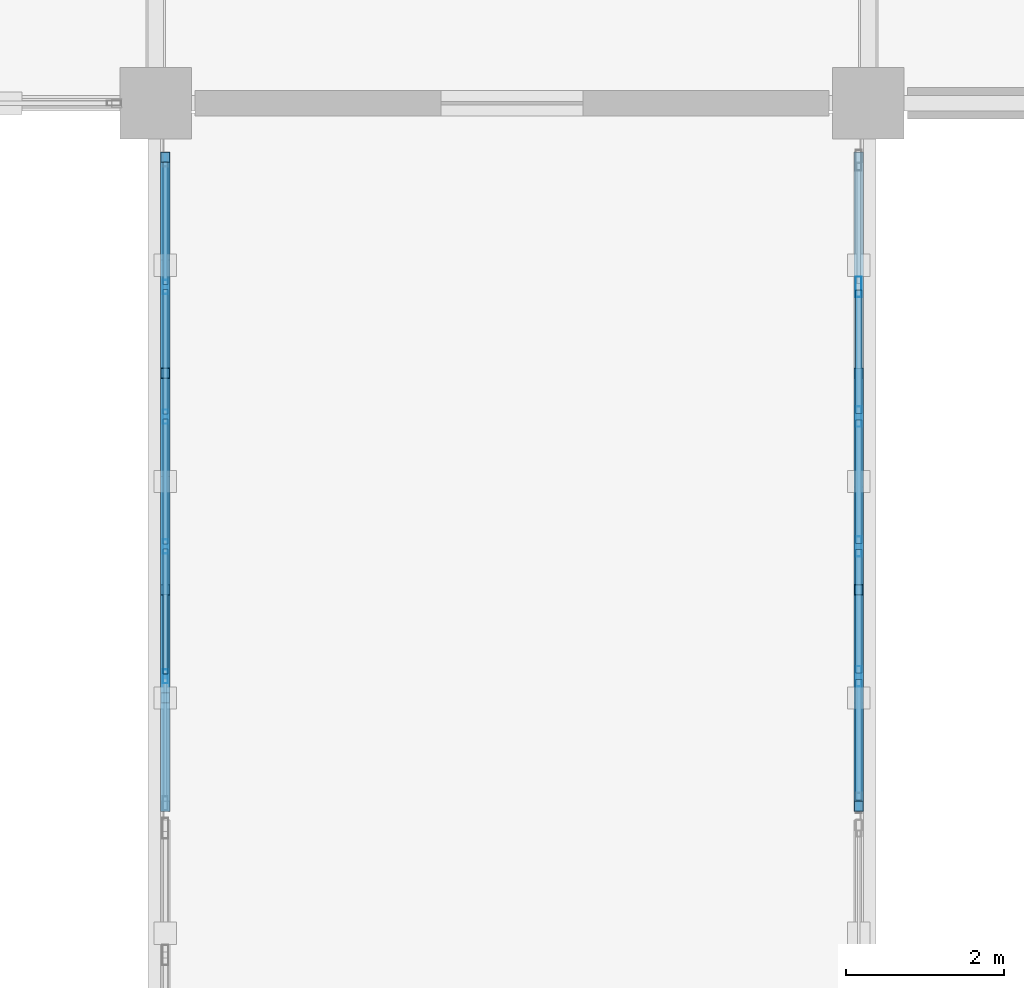
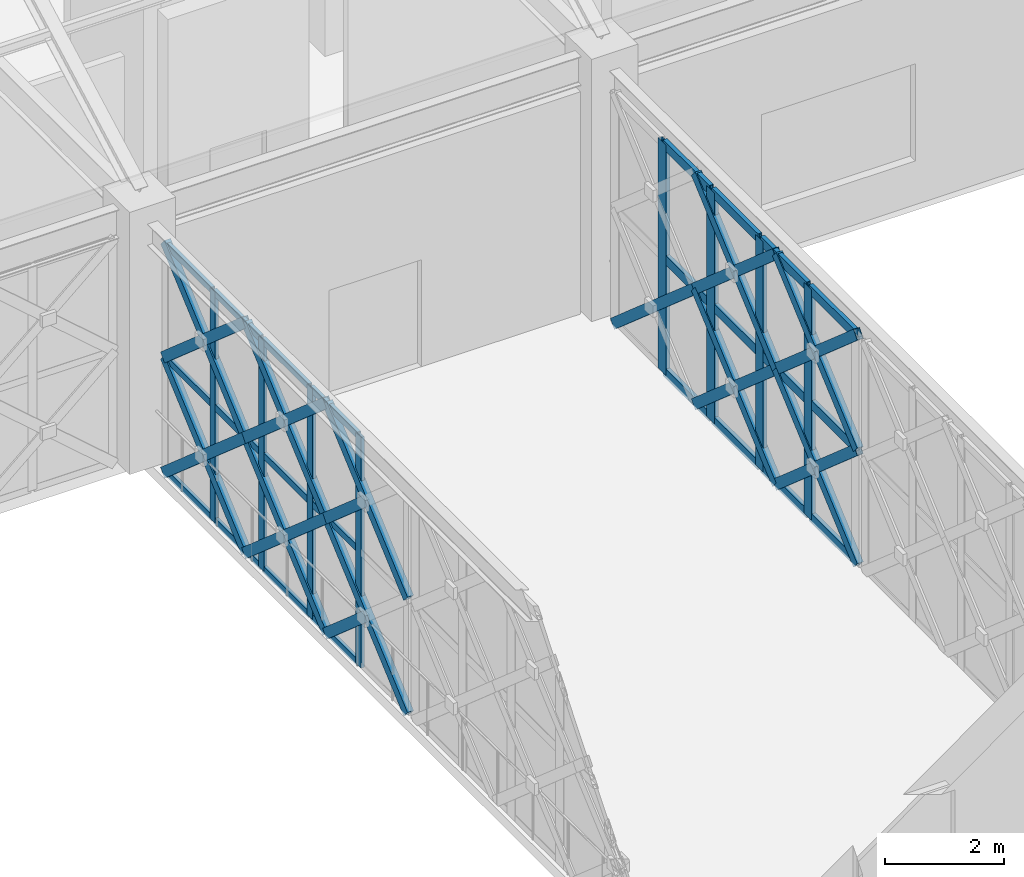
# One storey, part 21 of 166: 61 members, 2 elements without a shape of their own.
"""IFC4 building model written with IfcOpenShell, lengths in metres."""

from ifc_helpers import new_model, si_unit, direction, frame, origin, origin_2d, place, context, subcontext, project, spatial, hollow_rectangle, extrude, material, material_profile, profile_set, type_object, element, aggregate, save


model = new_model("IFC4")

# Units and contexts
model_context = context("Model", 3, precision=1e-05, world=origin(), true_north=direction((0.0, 1.0)))
body_context = subcontext(model_context, "Body", "Model", "MODEL_VIEW")
ifc_project = project(units=[si_unit("LENGTHUNIT", "METRE"), si_unit("AREAUNIT", "SQUARE_METRE"), si_unit("VOLUMEUNIT", "CUBIC_METRE"), si_unit("PLANEANGLEUNIT", "RADIAN"), si_unit("MASSUNIT", "GRAM", prefix="KILO")], contexts=[model_context])

# Site, building, storey
site_placement = place(None, origin())
site = spatial("IfcSite", under=ifc_project, at=site_placement, CompositionType="ELEMENT")
building_placement = place(site_placement, origin())
building = spatial("IfcBuilding", under=site, at=building_placement, Name="Haizhuo Lancet Aquarium", CompositionType="ELEMENT")
storey_placement = place(building_placement, frame((0.0, 0.0, 5.39990234375)))
storey = spatial("IfcBuildingStorey", under=building, at=storey_placement, Name="L01", CompositionType="ELEMENT", Elevation=5.39990234375)

# Curtain wall, members
ifc_material_1 = material(Name="Aluminium 6063-T6", Category="aluminium")
curtain_wall_type = type_object("IfcCurtainWallType", Name="CWO-8200x4750", PredefinedType="NOTDEFINED", material=ifc_material_1)
curtain_wall_1_placement = place(storey_placement, origin())
curtain_wall_1 = element("IfcCurtainWall", 1, at=curtain_wall_1_placement, inside=storey, type_object=curtain_wall_type, Name="L01 curtain wall CW-SB-01-W2", PredefinedType="NOTDEFINED")
ifc_material_profile_1 = material_profile(ifc_material_1, hollow_rectangle(XDim=0.06494140625, YDim=0.179931640625, WallThickness=0.00390625, at=origin_2d()), Name="ALU-M 65x180x4")
ifc_profile_set_1 = profile_set([ifc_material_profile_1], Name="Aluminium 6063-T6")
member_type_1 = type_object("IfcMemberType", Name="CW-MUL-1", PredefinedType="MULLION", material=ifc_profile_set_1)
member_1_placement = place(storey_placement, frame((-62.8798828125, 1.760009765625, 0.0), z_axis=(0.0, 0.0, 1.0), x_axis=(-1.0, 0.0, 0.0)))
member_1 = element("IfcMember", 2, at=member_1_placement, type_object=member_type_1, Name="CWO-82x47 mullion 2", PredefinedType="MULLION", context=body_context, shape_type="SweptSolid", body=[
    extrude(hollow_rectangle(XDim=0.06494140625, YDim=0.179931640625, WallThickness=0.00390625, at=origin_2d()), origin(), (0.0, 0.0, 1.0), 4.75),
])
member_2_placement = place(storey_placement, frame((-62.8798828125, 3.39990234375, 0.0), z_axis=(0.0, 0.0, 1.0), x_axis=(-1.0, 0.0, 0.0)))
member_2 = element("IfcMember", 3, at=member_2_placement, type_object=member_type_1, Name="CWO-82x47 mullion 3", PredefinedType="MULLION", context=body_context, shape_type="SweptSolid", body=[
    extrude(hollow_rectangle(XDim=0.06494140625, YDim=0.179931640625, WallThickness=0.00390625, at=origin_2d()), origin(), (0.0, 0.0, 1.0), 4.75),
])
member_3_placement = place(storey_placement, frame((-62.8798828125, 5.0400390625, 0.0), z_axis=(0.0, 0.0, 1.0), x_axis=(-1.0, 0.0, 0.0)))
member_3 = element("IfcMember", 4, at=member_3_placement, type_object=member_type_1, Name="CWO-82x47 mullion 4", PredefinedType="MULLION", context=body_context, shape_type="SweptSolid", body=[
    extrude(hollow_rectangle(XDim=0.06494140625, YDim=0.179931640625, WallThickness=0.00390625, at=origin_2d()), origin(), (0.0, 0.0, 1.0), 4.75),
])
member_4_placement = place(storey_placement, frame((-62.8798828125, 6.679931640625, 0.0), z_axis=(0.0, 0.0, 1.0), x_axis=(-1.0, 0.0, 0.0)))
member_4 = element("IfcMember", 5, at=member_4_placement, type_object=member_type_1, Name="CWO-82x47 mullion 5", PredefinedType="MULLION", context=body_context, shape_type="SweptSolid", body=[
    extrude(hollow_rectangle(XDim=0.06494140625, YDim=0.179931640625, WallThickness=0.00390625, at=origin_2d()), origin(), (0.0, 0.0, 1.0), 4.75),
])

curtain_wall_2_placement = place(storey_placement, origin())
curtain_wall_2 = element("IfcCurtainWall", 6, at=curtain_wall_2_placement, inside=storey, type_object=curtain_wall_type, Name="L01 curtain wall CW-SB-01-E2", PredefinedType="NOTDEFINED")
ifc_material_profile_2 = material_profile(ifc_material_1, hollow_rectangle(XDim=0.080078125, YDim=0.260009765625, WallThickness=0.0048828125, at=origin_2d()), Name="ALU-M 80x260x5")
ifc_profile_set_2 = profile_set([ifc_material_profile_2], Name="Aluminium 6063-T6")
member_type_2 = type_object("IfcMemberType", Name="CW-MUL-3", PredefinedType="MULLION", material=ifc_profile_set_2)
member_5_placement = place(storey_placement, frame((-54.1201171875, 6.679931640625, 0.0), z_axis=(0.0, 0.0, 1.0), x_axis=(1.0, 0.0, 0.0)))
member_5 = element("IfcMember", 7, at=member_5_placement, type_object=member_type_2, Name="CWO-82x47 mullion 2", PredefinedType="MULLION", context=body_context, shape_type="SweptSolid", body=[
    extrude(hollow_rectangle(XDim=0.080078125, YDim=0.260009765625, WallThickness=0.0048828125, at=origin_2d()), origin(), (0.0, 0.0, 1.0), 4.75),
])
member_6_placement = place(storey_placement, frame((-54.1201171875, 5.0400390625, 0.0), z_axis=(0.0, 0.0, 1.0), x_axis=(1.0, 0.0, 0.0)))
member_6 = element("IfcMember", 8, at=member_6_placement, type_object=member_type_2, Name="CWO-82x47 mullion 3", PredefinedType="MULLION", context=body_context, shape_type="SweptSolid", body=[
    extrude(hollow_rectangle(XDim=0.080078125, YDim=0.260009765625, WallThickness=0.0048828125, at=origin_2d()), origin(), (0.0, 0.0, 1.0), 4.75),
])
member_7_placement = place(storey_placement, frame((-54.1201171875, 3.39990234375, 0.0), z_axis=(0.0, 0.0, 1.0), x_axis=(1.0, 0.0, 0.0)))
member_7 = element("IfcMember", 9, at=member_7_placement, type_object=member_type_2, Name="CWO-82x47 mullion 4", PredefinedType="MULLION", context=body_context, shape_type="SweptSolid", body=[
    extrude(hollow_rectangle(XDim=0.080078125, YDim=0.260009765625, WallThickness=0.0048828125, at=origin_2d()), origin(), (0.0, 0.0, 1.0), 4.75),
])
member_8_placement = place(storey_placement, frame((-54.1201171875, 1.760009765625, 0.0), z_axis=(0.0, 0.0, 1.0), x_axis=(1.0, 0.0, 0.0)))
member_8 = element("IfcMember", 10, at=member_8_placement, type_object=member_type_2, Name="CWO-82x47 mullion 5", PredefinedType="MULLION", context=body_context, shape_type="SweptSolid", body=[
    extrude(hollow_rectangle(XDim=0.080078125, YDim=0.260009765625, WallThickness=0.0048828125, at=origin_2d()), origin(), (0.0, 0.0, 1.0), 4.75),
])

# Member
ifc_material_profile_3 = material_profile(ifc_material_1, hollow_rectangle(XDim=0.06494140625, YDim=0.139892578125, WallThickness=0.00390625, at=origin_2d()), Name="ALU-T 65x140x4")
ifc_profile_set_3 = profile_set([ifc_material_profile_3], Name="Aluminium 6063-T6")
member_type_3 = type_object("IfcMemberType", Name="CW-TRN-1", PredefinedType="NOTDEFINED", material=ifc_profile_set_3)
member_9_placement = place(storey_placement, frame((-62.8798828125, 1.7919921875, 0.033203125), z_axis=(0.0, 1.0, 0.0), x_axis=(-1.0, 0.0, 0.0)))
member_9 = element("IfcMember", 11, at=member_9_placement, type_object=member_type_3, Name="CWO-82x47 transom 2.1", ObjectType="TRANSOM", PredefinedType="USERDEFINED", context=body_context, shape_type="SweptSolid", body=[
    extrude(hollow_rectangle(XDim=0.06494140625, YDim=0.139892578125, WallThickness=0.00390625, at=origin_2d()), origin(), (0.0, 0.0, 1.0), 1.575927734375),
])

member_10_placement = place(storey_placement, frame((-62.8798828125, 1.7919921875, 2.375), z_axis=(0.0, 1.0, 0.0), x_axis=(-1.0, 0.0, 0.0)))
member_10 = element("IfcMember", 12, at=member_10_placement, type_object=member_type_3, Name="CWO-82x47 transom 2.2", ObjectType="TRANSOM", PredefinedType="USERDEFINED", context=body_context, shape_type="SweptSolid", body=[
    extrude(hollow_rectangle(XDim=0.06494140625, YDim=0.139892578125, WallThickness=0.00390625, at=origin_2d()), origin(), (0.0, 0.0, 1.0), 1.575927734375),
])

member_11_placement = place(storey_placement, frame((-62.8798828125, 1.7919921875, 4.717041015625), z_axis=(0.0, 1.0, 0.0), x_axis=(-1.0, 0.0, 0.0)))
member_11 = element("IfcMember", 13, at=member_11_placement, type_object=member_type_3, Name="CWO-82x47 transom 2.3", ObjectType="TRANSOM", PredefinedType="USERDEFINED", context=body_context, shape_type="SweptSolid", body=[
    extrude(hollow_rectangle(XDim=0.06494140625, YDim=0.139892578125, WallThickness=0.00390625, at=origin_2d()), origin(), (0.0, 0.0, 1.0), 1.575927734375),
])

member_12_placement = place(storey_placement, frame((-62.8798828125, 3.43310546875, 0.033203125), z_axis=(0.0, 1.0, 0.0), x_axis=(-1.0, 0.0, 0.0)))
member_12 = element("IfcMember", 14, at=member_12_placement, type_object=member_type_3, Name="CWO-82x47 transom 3.1", ObjectType="TRANSOM", PredefinedType="USERDEFINED", context=body_context, shape_type="SweptSolid", body=[
    extrude(hollow_rectangle(XDim=0.06494140625, YDim=0.139892578125, WallThickness=0.00390625, at=origin_2d()), origin(), (0.0, 0.0, 1.0), 1.574951171875),
])

member_13_placement = place(storey_placement, frame((-62.8798828125, 3.43310546875, 2.375), z_axis=(0.0, 1.0, 0.0), x_axis=(-1.0, 0.0, 0.0)))
member_13 = element("IfcMember", 15, at=member_13_placement, type_object=member_type_3, Name="CWO-82x47 transom 3.2", ObjectType="TRANSOM", PredefinedType="USERDEFINED", context=body_context, shape_type="SweptSolid", body=[
    extrude(hollow_rectangle(XDim=0.06494140625, YDim=0.139892578125, WallThickness=0.00390625, at=origin_2d()), origin(), (0.0, 0.0, 1.0), 1.574951171875),
])

member_14_placement = place(storey_placement, frame((-62.8798828125, 3.43310546875, 4.717041015625), z_axis=(0.0, 1.0, 0.0), x_axis=(-1.0, 0.0, 0.0)))
member_14 = element("IfcMember", 16, at=member_14_placement, type_object=member_type_3, Name="CWO-82x47 transom 3.3", ObjectType="TRANSOM", PredefinedType="USERDEFINED", context=body_context, shape_type="SweptSolid", body=[
    extrude(hollow_rectangle(XDim=0.06494140625, YDim=0.139892578125, WallThickness=0.00390625, at=origin_2d()), origin(), (0.0, 0.0, 1.0), 1.574951171875),
])

member_15_placement = place(storey_placement, frame((-62.8798828125, 5.072021484375, 0.033203125), z_axis=(0.0, 1.0, 0.0), x_axis=(-1.0, 0.0, 0.0)))
member_15 = element("IfcMember", 17, at=member_15_placement, type_object=member_type_3, Name="CWO-82x47 transom 4.1", ObjectType="TRANSOM", PredefinedType="USERDEFINED", context=body_context, shape_type="SweptSolid", body=[
    extrude(hollow_rectangle(XDim=0.06494140625, YDim=0.139892578125, WallThickness=0.00390625, at=origin_2d()), origin(), (0.0, 0.0, 1.0), 1.575927734375),
])

member_16_placement = place(storey_placement, frame((-62.8798828125, 5.072021484375, 2.375), z_axis=(0.0, 1.0, 0.0), x_axis=(-1.0, 0.0, 0.0)))
member_16 = element("IfcMember", 18, at=member_16_placement, type_object=member_type_3, Name="CWO-82x47 transom 4.2", ObjectType="TRANSOM", PredefinedType="USERDEFINED", context=body_context, shape_type="SweptSolid", body=[
    extrude(hollow_rectangle(XDim=0.06494140625, YDim=0.139892578125, WallThickness=0.00390625, at=origin_2d()), origin(), (0.0, 0.0, 1.0), 1.575927734375),
])

member_17_placement = place(storey_placement, frame((-62.8798828125, 5.072021484375, 4.717041015625), z_axis=(0.0, 1.0, 0.0), x_axis=(-1.0, 0.0, 0.0)))
member_17 = element("IfcMember", 19, at=member_17_placement, type_object=member_type_3, Name="CWO-82x47 transom 4.3", ObjectType="TRANSOM", PredefinedType="USERDEFINED", context=body_context, shape_type="SweptSolid", body=[
    extrude(hollow_rectangle(XDim=0.06494140625, YDim=0.139892578125, WallThickness=0.00390625, at=origin_2d()), origin(), (0.0, 0.0, 1.0), 1.575927734375),
])

member_18_placement = place(storey_placement, frame((-62.8798828125, 6.712890625, 0.033203125), z_axis=(0.0, 1.0, 0.0), x_axis=(-1.0, 0.0, 0.0)))
member_18 = element("IfcMember", 20, at=member_18_placement, type_object=member_type_3, Name="CWO-82x47 transom 5.1", ObjectType="TRANSOM", PredefinedType="USERDEFINED", context=body_context, shape_type="SweptSolid", body=[
    extrude(hollow_rectangle(XDim=0.06494140625, YDim=0.139892578125, WallThickness=0.00390625, at=origin_2d()), origin(), (0.0, 0.0, 1.0), 1.5419921875),
])

member_19_placement = place(storey_placement, frame((-62.8798828125, 6.712890625, 2.375), z_axis=(0.0, 1.0, 0.0), x_axis=(-1.0, 0.0, 0.0)))
member_19 = element("IfcMember", 21, at=member_19_placement, type_object=member_type_3, Name="CWO-82x47 transom 5.2", ObjectType="TRANSOM", PredefinedType="USERDEFINED", context=body_context, shape_type="SweptSolid", body=[
    extrude(hollow_rectangle(XDim=0.06494140625, YDim=0.139892578125, WallThickness=0.00390625, at=origin_2d()), origin(), (0.0, 0.0, 1.0), 1.5419921875),
])

member_20_placement = place(storey_placement, frame((-62.8798828125, 6.712890625, 4.717041015625), z_axis=(0.0, 1.0, 0.0), x_axis=(-1.0, 0.0, 0.0)))
member_20 = element("IfcMember", 22, at=member_20_placement, type_object=member_type_3, Name="CWO-82x47 transom 5.3", ObjectType="TRANSOM", PredefinedType="USERDEFINED", context=body_context, shape_type="SweptSolid", body=[
    extrude(hollow_rectangle(XDim=0.06494140625, YDim=0.139892578125, WallThickness=0.00390625, at=origin_2d()), origin(), (0.0, 0.0, 1.0), 1.5419921875),
])

aggregate(curtain_wall_1, [member_1, member_2, member_3, member_4, member_9, member_10, member_11, member_12, member_13, member_14, member_15, member_16, member_17, member_18, member_19, member_20])

ifc_material_profile_4 = material_profile(ifc_material_1, hollow_rectangle(XDim=0.080078125, YDim=0.18994140625, WallThickness=0.0048828125, at=origin_2d()), Name="ALU-T 80x190x5")
ifc_profile_set_4 = profile_set([ifc_material_profile_4], Name="Aluminium 6063-T6")
member_type_4 = type_object("IfcMemberType", Name="CW-TRN-3", PredefinedType="NOTDEFINED", material=ifc_profile_set_4)
member_21_placement = place(storey_placement, frame((-54.1201171875, 6.639892578125, 0.0400390625), z_axis=(0.0, -1.0, 0.0), x_axis=(1.0, 0.0, 0.0)))
member_21 = element("IfcMember", 23, at=member_21_placement, type_object=member_type_4, Name="CWO-82x47 transom 2.1", ObjectType="TRANSOM", PredefinedType="USERDEFINED", context=body_context, shape_type="SweptSolid", body=[
    extrude(hollow_rectangle(XDim=0.080078125, YDim=0.18994140625, WallThickness=0.0048828125, at=origin_2d()), origin(), (0.0, 0.0, 1.0), 1.559814453125),
])

member_22_placement = place(storey_placement, frame((-54.1201171875, 6.639892578125, 2.375), z_axis=(0.0, -1.0, 0.0), x_axis=(1.0, 0.0, 0.0)))
member_22 = element("IfcMember", 24, at=member_22_placement, type_object=member_type_4, Name="CWO-82x47 transom 2.2", ObjectType="TRANSOM", PredefinedType="USERDEFINED", context=body_context, shape_type="SweptSolid", body=[
    extrude(hollow_rectangle(XDim=0.080078125, YDim=0.18994140625, WallThickness=0.0048828125, at=origin_2d()), origin(), (0.0, 0.0, 1.0), 1.559814453125),
])

member_23_placement = place(storey_placement, frame((-54.1201171875, 6.639892578125, 4.710205078125), z_axis=(0.0, -1.0, 0.0), x_axis=(1.0, 0.0, 0.0)))
member_23 = element("IfcMember", 25, at=member_23_placement, type_object=member_type_4, Name="CWO-82x47 transom 2.3", ObjectType="TRANSOM", PredefinedType="USERDEFINED", context=body_context, shape_type="SweptSolid", body=[
    extrude(hollow_rectangle(XDim=0.080078125, YDim=0.18994140625, WallThickness=0.0048828125, at=origin_2d()), origin(), (0.0, 0.0, 1.0), 1.559814453125),
])

member_24_placement = place(storey_placement, frame((-54.1201171875, 5.0, 0.0400390625), z_axis=(0.0, -1.0, 0.0), x_axis=(1.0, 0.0, 0.0)))
member_24 = element("IfcMember", 26, at=member_24_placement, type_object=member_type_4, Name="CWO-82x47 transom 3.1", ObjectType="TRANSOM", PredefinedType="USERDEFINED", context=body_context, shape_type="SweptSolid", body=[
    extrude(hollow_rectangle(XDim=0.080078125, YDim=0.18994140625, WallThickness=0.0048828125, at=origin_2d()), origin(), (0.0, 0.0, 1.0), 1.56005859375),
])

member_25_placement = place(storey_placement, frame((-54.1201171875, 5.0, 2.375), z_axis=(0.0, -1.0, 0.0), x_axis=(1.0, 0.0, 0.0)))
member_25 = element("IfcMember", 27, at=member_25_placement, type_object=member_type_4, Name="CWO-82x47 transom 3.2", ObjectType="TRANSOM", PredefinedType="USERDEFINED", context=body_context, shape_type="SweptSolid", body=[
    extrude(hollow_rectangle(XDim=0.080078125, YDim=0.18994140625, WallThickness=0.0048828125, at=origin_2d()), origin(), (0.0, 0.0, 1.0), 1.56005859375),
])

member_26_placement = place(storey_placement, frame((-54.1201171875, 5.0, 4.710205078125), z_axis=(0.0, -1.0, 0.0), x_axis=(1.0, 0.0, 0.0)))
member_26 = element("IfcMember", 28, at=member_26_placement, type_object=member_type_4, Name="CWO-82x47 transom 3.3", ObjectType="TRANSOM", PredefinedType="USERDEFINED", context=body_context, shape_type="SweptSolid", body=[
    extrude(hollow_rectangle(XDim=0.080078125, YDim=0.18994140625, WallThickness=0.0048828125, at=origin_2d()), origin(), (0.0, 0.0, 1.0), 1.56005859375),
])

member_27_placement = place(storey_placement, frame((-54.1201171875, 3.360107421875, 0.0400390625), z_axis=(0.0, -1.0, 0.0), x_axis=(1.0, 0.0, 0.0)))
member_27 = element("IfcMember", 29, at=member_27_placement, type_object=member_type_4, Name="CWO-82x47 transom 4.1", ObjectType="TRANSOM", PredefinedType="USERDEFINED", context=body_context, shape_type="SweptSolid", body=[
    extrude(hollow_rectangle(XDim=0.080078125, YDim=0.18994140625, WallThickness=0.0048828125, at=origin_2d()), origin(), (0.0, 0.0, 1.0), 1.56005859375),
])

member_28_placement = place(storey_placement, frame((-54.1201171875, 3.360107421875, 2.375), z_axis=(0.0, -1.0, 0.0), x_axis=(1.0, 0.0, 0.0)))
member_28 = element("IfcMember", 30, at=member_28_placement, type_object=member_type_4, Name="CWO-82x47 transom 4.2", ObjectType="TRANSOM", PredefinedType="USERDEFINED", context=body_context, shape_type="SweptSolid", body=[
    extrude(hollow_rectangle(XDim=0.080078125, YDim=0.18994140625, WallThickness=0.0048828125, at=origin_2d()), origin(), (0.0, 0.0, 1.0), 1.56005859375),
])

member_29_placement = place(storey_placement, frame((-54.1201171875, 3.360107421875, 4.710205078125), z_axis=(0.0, -1.0, 0.0), x_axis=(1.0, 0.0, 0.0)))
member_29 = element("IfcMember", 31, at=member_29_placement, type_object=member_type_4, Name="CWO-82x47 transom 4.3", ObjectType="TRANSOM", PredefinedType="USERDEFINED", context=body_context, shape_type="SweptSolid", body=[
    extrude(hollow_rectangle(XDim=0.080078125, YDim=0.18994140625, WallThickness=0.0048828125, at=origin_2d()), origin(), (0.0, 0.0, 1.0), 1.56005859375),
])

member_30_placement = place(storey_placement, frame((-54.1201171875, 1.719970703125, 0.0400390625), z_axis=(0.0, -1.0, 0.0), x_axis=(1.0, 0.0, 0.0)))
member_30 = element("IfcMember", 32, at=member_30_placement, type_object=member_type_4, Name="CWO-82x47 transom 5.1", ObjectType="TRANSOM", PredefinedType="USERDEFINED", context=body_context, shape_type="SweptSolid", body=[
    extrude(hollow_rectangle(XDim=0.080078125, YDim=0.18994140625, WallThickness=0.0048828125, at=origin_2d()), origin(), (0.0, 0.0, 1.0), 1.52001953125),
])

member_31_placement = place(storey_placement, frame((-54.1201171875, 1.719970703125, 2.375), z_axis=(0.0, -1.0, 0.0), x_axis=(1.0, 0.0, 0.0)))
member_31 = element("IfcMember", 33, at=member_31_placement, type_object=member_type_4, Name="CWO-82x47 transom 5.2", ObjectType="TRANSOM", PredefinedType="USERDEFINED", context=body_context, shape_type="SweptSolid", body=[
    extrude(hollow_rectangle(XDim=0.080078125, YDim=0.18994140625, WallThickness=0.0048828125, at=origin_2d()), origin(), (0.0, 0.0, 1.0), 1.52001953125),
])

member_32_placement = place(storey_placement, frame((-54.1201171875, 1.719970703125, 4.710205078125), z_axis=(0.0, -1.0, 0.0), x_axis=(1.0, 0.0, 0.0)))
member_32 = element("IfcMember", 34, at=member_32_placement, type_object=member_type_4, Name="CWO-82x47 transom 5.3", ObjectType="TRANSOM", PredefinedType="USERDEFINED", context=body_context, shape_type="SweptSolid", body=[
    extrude(hollow_rectangle(XDim=0.080078125, YDim=0.18994140625, WallThickness=0.0048828125, at=origin_2d()), origin(), (0.0, 0.0, 1.0), 1.52001953125),
])

aggregate(curtain_wall_2, [member_5, member_6, member_7, member_8, member_21, member_22, member_23, member_24, member_25, member_26, member_27, member_28, member_29, member_30, member_31, member_32])

# Members
ifc_material_2 = material(Name="Steel S355", Category="steel")
ifc_material_profile_5 = material_profile(ifc_material_2, hollow_rectangle(XDim=0.1201171875, YDim=0.199951171875, WallThickness=0.008056640625, at=origin_2d()), Name="RHS 120x200x8")
ifc_profile_set_5 = profile_set([ifc_material_profile_5], Name="Steel S355")
member_type_5 = type_object("IfcMemberType", Name="MEM-LB-RHS120x200", PredefinedType="BRACE", material=ifc_profile_set_5)
member_33_placement = place(storey_placement, frame((-62.8798828125, 0.1201171875, 0.0), z_axis=(0.0, 0.754802912694, 0.655951646837), x_axis=(-1.0, 0.0, 0.0)))
element("IfcMember", 35, at=member_33_placement, inside=storey, type_object=member_type_5, Name="Gothic lancet continuous diagonal brace CW-SB-01-W2 1A", PredefinedType="BRACE", context=body_context, shape_type="SweptSolid", body=[
    extrude(hollow_rectangle(XDim=0.1201171875, YDim=0.199951171875, WallThickness=0.008056640625, at=origin_2d()), origin(), (0.0, 0.0, 1.0), 3.62060546875),
])
member_34_placement = place(storey_placement, frame((-62.8798828125, 2.85302734375, 0.0), z_axis=(0.0, -0.754553258905, 0.656238812839), x_axis=(1.0, 0.0, 0.0)))
element("IfcMember", 36, at=member_34_placement, inside=storey, type_object=member_type_5, Name="Gothic lancet split diagonal brace CW-SB-01-W2 1B1", PredefinedType="BRACE", context=body_context, shape_type="SweptSolid", body=[
    extrude(hollow_rectangle(XDim=0.1201171875, YDim=0.199951171875, WallThickness=0.008056640625, at=origin_2d()), origin(), (0.0, 0.0, 1.0), 1.810302734375),
])
member_35_placement = place(storey_placement, frame((-62.8798828125, 0.1201171875, 2.375), z_axis=(0.0, 0.754802912694, 0.655951646837), x_axis=(-1.0, 0.0, 0.0)))
element("IfcMember", 37, at=member_35_placement, inside=storey, type_object=member_type_5, Name="Gothic lancet continuous diagonal brace CW-SB-01-W2 2A", PredefinedType="BRACE", context=body_context, shape_type="SweptSolid", body=[
    extrude(hollow_rectangle(XDim=0.1201171875, YDim=0.199951171875, WallThickness=0.008056640625, at=origin_2d()), origin(), (0.0, 0.0, 1.0), 3.62060546875),
])
member_36_placement = place(storey_placement, frame((-62.8798828125, 2.85302734375, 2.375), z_axis=(0.0, -0.754553258905, 0.656238812839), x_axis=(1.0, 0.0, 0.0)))
element("IfcMember", 38, at=member_36_placement, inside=storey, type_object=member_type_5, Name="Gothic lancet split diagonal brace CW-SB-01-W2 2B1", PredefinedType="BRACE", context=body_context, shape_type="SweptSolid", body=[
    extrude(hollow_rectangle(XDim=0.1201171875, YDim=0.199951171875, WallThickness=0.008056640625, at=origin_2d()), origin(), (0.0, 0.0, 1.0), 1.810302734375),
])
member_37_placement = place(storey_placement, frame((-62.8798828125, 2.85302734375, 0.0), z_axis=(0.0, 0.754918929071, 0.655818123058), x_axis=(-1.0, 0.0, 0.0)))
element("IfcMember", 39, at=member_37_placement, inside=storey, type_object=member_type_5, Name="Gothic lancet continuous diagonal brace CW-SB-01-W2 3A", PredefinedType="BRACE", context=body_context, shape_type="SweptSolid", body=[
    extrude(hollow_rectangle(XDim=0.1201171875, YDim=0.199951171875, WallThickness=0.008056640625, at=origin_2d()), origin(), (0.0, 0.0, 1.0), 3.621337890625),
])
member_38_placement = place(storey_placement, frame((-62.8798828125, 5.5869140625, 0.0), z_axis=(0.0, -0.754785430186, 0.655971763401), x_axis=(1.0, 0.0, 0.0)))
element("IfcMember", 40, at=member_38_placement, inside=storey, type_object=member_type_5, Name="Gothic lancet split diagonal brace CW-SB-01-W2 3B1", PredefinedType="BRACE", context=body_context, shape_type="SweptSolid", body=[
    extrude(hollow_rectangle(XDim=0.1201171875, YDim=0.199951171875, WallThickness=0.008056640625, at=origin_2d()), origin(), (0.0, 0.0, 1.0), 1.81103515625),
])
member_39_placement = place(storey_placement, frame((-62.8798828125, 4.219970703125, 1.18798828125), z_axis=(0.0, -0.755052443892, 0.655664401179), x_axis=(1.0, 0.0, 0.0)))
element("IfcMember", 41, at=member_39_placement, inside=storey, type_object=member_type_5, Name="Gothic lancet split diagonal brace CW-SB-01-W2 3B2", PredefinedType="BRACE", context=body_context, shape_type="SweptSolid", body=[
    extrude(hollow_rectangle(XDim=0.1201171875, YDim=0.199951171875, WallThickness=0.008056640625, at=origin_2d()), origin(), (0.0, 0.0, 1.0), 1.810302734375),
])
member_40_placement = place(storey_placement, frame((-62.8798828125, 2.85302734375, 2.375), z_axis=(0.0, 0.754918929071, 0.655818123058), x_axis=(-1.0, 0.0, 0.0)))
element("IfcMember", 42, at=member_40_placement, inside=storey, type_object=member_type_5, Name="Gothic lancet continuous diagonal brace CW-SB-01-W2 4A", PredefinedType="BRACE", context=body_context, shape_type="SweptSolid", body=[
    extrude(hollow_rectangle(XDim=0.1201171875, YDim=0.199951171875, WallThickness=0.008056640625, at=origin_2d()), origin(), (0.0, 0.0, 1.0), 3.621337890625),
])
member_41_placement = place(storey_placement, frame((-62.8798828125, 5.5869140625, 2.375), z_axis=(0.0, -0.754785430186, 0.655971763401), x_axis=(1.0, 0.0, 0.0)))
element("IfcMember", 43, at=member_41_placement, inside=storey, type_object=member_type_5, Name="Gothic lancet split diagonal brace CW-SB-01-W2 4B1", PredefinedType="BRACE", context=body_context, shape_type="SweptSolid", body=[
    extrude(hollow_rectangle(XDim=0.1201171875, YDim=0.199951171875, WallThickness=0.008056640625, at=origin_2d()), origin(), (0.0, 0.0, 1.0), 1.81103515625),
])
member_42_placement = place(storey_placement, frame((-62.8798828125, 4.219970703125, 3.56298828125), z_axis=(0.0, -0.755052443892, 0.655664401179), x_axis=(1.0, 0.0, 0.0)))
element("IfcMember", 44, at=member_42_placement, inside=storey, type_object=member_type_5, Name="Gothic lancet split diagonal brace CW-SB-01-W2 4B2", PredefinedType="BRACE", context=body_context, shape_type="SweptSolid", body=[
    extrude(hollow_rectangle(XDim=0.1201171875, YDim=0.199951171875, WallThickness=0.008056640625, at=origin_2d()), origin(), (0.0, 0.0, 1.0), 1.810302734375),
])
member_43_placement = place(storey_placement, frame((-62.8798828125, 5.5869140625, 0.0), z_axis=(0.0, 0.754831923432, 0.655918262719), x_axis=(-1.0, 0.0, 0.0)))
element("IfcMember", 45, at=member_43_placement, inside=storey, type_object=member_type_5, Name="Gothic lancet continuous diagonal brace CW-SB-01-W2 5A", PredefinedType="BRACE", context=body_context, shape_type="SweptSolid", body=[
    extrude(hollow_rectangle(XDim=0.1201171875, YDim=0.199951171875, WallThickness=0.008056640625, at=origin_2d()), origin(), (0.0, 0.0, 1.0), 3.620849609375),
])
member_44_placement = place(storey_placement, frame((-62.8798828125, 8.320068359375, 0.0), z_axis=(0.0, -0.754553258905, 0.656238812839), x_axis=(1.0, 0.0, 0.0)))
element("IfcMember", 46, at=member_44_placement, inside=storey, type_object=member_type_5, Name="Gothic lancet split diagonal brace CW-SB-01-W2 5B1", PredefinedType="BRACE", context=body_context, shape_type="SweptSolid", body=[
    extrude(hollow_rectangle(XDim=0.1201171875, YDim=0.199951171875, WallThickness=0.008056640625, at=origin_2d()), origin(), (0.0, 0.0, 1.0), 1.810302734375),
])
member_45_placement = place(storey_placement, frame((-62.8798828125, 6.9541015625, 1.18798828125), z_axis=(0.0, -0.755110408583, 0.655597644024), x_axis=(1.0, 0.0, 0.0)))
element("IfcMember", 47, at=member_45_placement, inside=storey, type_object=member_type_5, Name="Gothic lancet split diagonal brace CW-SB-01-W2 5B2", PredefinedType="BRACE", context=body_context, shape_type="SweptSolid", body=[
    extrude(hollow_rectangle(XDim=0.1201171875, YDim=0.199951171875, WallThickness=0.008056640625, at=origin_2d()), origin(), (0.0, 0.0, 1.0), 1.810546875),
])
member_46_placement = place(storey_placement, frame((-62.8798828125, 5.5869140625, 2.375), z_axis=(0.0, 0.754831923432, 0.655918262719), x_axis=(-1.0, 0.0, 0.0)))
element("IfcMember", 48, at=member_46_placement, inside=storey, type_object=member_type_5, Name="Gothic lancet continuous diagonal brace CW-SB-01-W2 6A", PredefinedType="BRACE", context=body_context, shape_type="SweptSolid", body=[
    extrude(hollow_rectangle(XDim=0.1201171875, YDim=0.199951171875, WallThickness=0.008056640625, at=origin_2d()), origin(), (0.0, 0.0, 1.0), 3.620849609375),
])
member_47_placement = place(storey_placement, frame((-62.8798828125, 8.320068359375, 2.375), z_axis=(0.0, -0.754553258905, 0.656238812839), x_axis=(1.0, 0.0, 0.0)))
element("IfcMember", 49, at=member_47_placement, inside=storey, type_object=member_type_5, Name="Gothic lancet split diagonal brace CW-SB-01-W2 6B1", PredefinedType="BRACE", context=body_context, shape_type="SweptSolid", body=[
    extrude(hollow_rectangle(XDim=0.1201171875, YDim=0.199951171875, WallThickness=0.008056640625, at=origin_2d()), origin(), (0.0, 0.0, 1.0), 1.810302734375),
])
member_48_placement = place(storey_placement, frame((-62.8798828125, 6.9541015625, 3.56298828125), z_axis=(0.0, -0.755110408583, 0.655597644024), x_axis=(1.0, 0.0, 0.0)))
element("IfcMember", 50, at=member_48_placement, inside=storey, type_object=member_type_5, Name="Gothic lancet split diagonal brace CW-SB-01-W2 6B2", PredefinedType="BRACE", context=body_context, shape_type="SweptSolid", body=[
    extrude(hollow_rectangle(XDim=0.1201171875, YDim=0.199951171875, WallThickness=0.008056640625, at=origin_2d()), origin(), (0.0, 0.0, 1.0), 1.810546875),
])
member_49_placement = place(storey_placement, frame((-54.1201171875, 8.320068359375, 0.0), z_axis=(0.0, -0.754831923432, 0.655918262719), x_axis=(1.0, 0.0, 0.0)))
element("IfcMember", 51, at=member_49_placement, inside=storey, type_object=member_type_5, Name="Gothic lancet continuous diagonal brace CW-SB-01-E2 1A", PredefinedType="BRACE", context=body_context, shape_type="SweptSolid", body=[
    extrude(hollow_rectangle(XDim=0.1201171875, YDim=0.199951171875, WallThickness=0.008056640625, at=origin_2d()), origin(), (0.0, 0.0, 1.0), 3.620849609375),
])
member_50_placement = place(storey_placement, frame((-54.1201171875, 5.5869140625, 0.0), z_axis=(0.0, -0.754918929071, 0.655818123058), x_axis=(1.0, 0.0, 0.0)))
element("IfcMember", 52, at=member_50_placement, inside=storey, type_object=member_type_5, Name="Gothic lancet continuous diagonal brace CW-SB-01-E2 3A", PredefinedType="BRACE", context=body_context, shape_type="SweptSolid", body=[
    extrude(hollow_rectangle(XDim=0.1201171875, YDim=0.199951171875, WallThickness=0.008056640625, at=origin_2d()), origin(), (0.0, 0.0, 1.0), 3.621337890625),
])
member_51_placement = place(storey_placement, frame((-54.1201171875, 2.85302734375, 0.0), z_axis=(0.0, 0.754785430186, 0.655971763401), x_axis=(-1.0, 0.0, 0.0)))
element("IfcMember", 53, at=member_51_placement, inside=storey, type_object=member_type_5, Name="Gothic lancet split diagonal brace CW-SB-01-E2 3B1", PredefinedType="BRACE", context=body_context, shape_type="SweptSolid", body=[
    extrude(hollow_rectangle(XDim=0.1201171875, YDim=0.199951171875, WallThickness=0.008056640625, at=origin_2d()), origin(), (0.0, 0.0, 1.0), 1.81103515625),
])
member_52_placement = place(storey_placement, frame((-54.1201171875, 4.219970703125, 1.18798828125), z_axis=(0.0, 0.755052443892, 0.655664401179), x_axis=(-1.0, 0.0, 0.0)))
element("IfcMember", 54, at=member_52_placement, inside=storey, type_object=member_type_5, Name="Gothic lancet split diagonal brace CW-SB-01-E2 3B2", PredefinedType="BRACE", context=body_context, shape_type="SweptSolid", body=[
    extrude(hollow_rectangle(XDim=0.1201171875, YDim=0.199951171875, WallThickness=0.008056640625, at=origin_2d()), origin(), (0.0, 0.0, 1.0), 1.810302734375),
])
member_53_placement = place(storey_placement, frame((-54.1201171875, 5.5869140625, 2.375), z_axis=(0.0, -0.754918929071, 0.655818123058), x_axis=(1.0, 0.0, 0.0)))
element("IfcMember", 55, at=member_53_placement, inside=storey, type_object=member_type_5, Name="Gothic lancet continuous diagonal brace CW-SB-01-E2 4A", PredefinedType="BRACE", context=body_context, shape_type="SweptSolid", body=[
    extrude(hollow_rectangle(XDim=0.1201171875, YDim=0.199951171875, WallThickness=0.008056640625, at=origin_2d()), origin(), (0.0, 0.0, 1.0), 3.621337890625),
])
member_54_placement = place(storey_placement, frame((-54.1201171875, 2.85302734375, 2.375), z_axis=(0.0, 0.754785430186, 0.655971763401), x_axis=(-1.0, 0.0, 0.0)))
element("IfcMember", 56, at=member_54_placement, inside=storey, type_object=member_type_5, Name="Gothic lancet split diagonal brace CW-SB-01-E2 4B1", PredefinedType="BRACE", context=body_context, shape_type="SweptSolid", body=[
    extrude(hollow_rectangle(XDim=0.1201171875, YDim=0.199951171875, WallThickness=0.008056640625, at=origin_2d()), origin(), (0.0, 0.0, 1.0), 1.81103515625),
])
member_55_placement = place(storey_placement, frame((-54.1201171875, 4.219970703125, 3.56298828125), z_axis=(0.0, 0.755052443892, 0.655664401179), x_axis=(-1.0, 0.0, 0.0)))
element("IfcMember", 57, at=member_55_placement, inside=storey, type_object=member_type_5, Name="Gothic lancet split diagonal brace CW-SB-01-E2 4B2", PredefinedType="BRACE", context=body_context, shape_type="SweptSolid", body=[
    extrude(hollow_rectangle(XDim=0.1201171875, YDim=0.199951171875, WallThickness=0.008056640625, at=origin_2d()), origin(), (0.0, 0.0, 1.0), 1.810302734375),
])
member_56_placement = place(storey_placement, frame((-54.1201171875, 2.85302734375, 0.0), z_axis=(0.0, -0.754802912694, 0.655951646837), x_axis=(1.0, 0.0, 0.0)))
element("IfcMember", 58, at=member_56_placement, inside=storey, type_object=member_type_5, Name="Gothic lancet continuous diagonal brace CW-SB-01-E2 5A", PredefinedType="BRACE", context=body_context, shape_type="SweptSolid", body=[
    extrude(hollow_rectangle(XDim=0.1201171875, YDim=0.199951171875, WallThickness=0.008056640625, at=origin_2d()), origin(), (0.0, 0.0, 1.0), 3.62060546875),
])
member_57_placement = place(storey_placement, frame((-54.1201171875, 0.1201171875, 0.0), z_axis=(0.0, 0.754785430186, 0.655971763401), x_axis=(-1.0, 0.0, 0.0)))
element("IfcMember", 59, at=member_57_placement, inside=storey, type_object=member_type_5, Name="Gothic lancet split diagonal brace CW-SB-01-E2 5B1", PredefinedType="BRACE", context=body_context, shape_type="SweptSolid", body=[
    extrude(hollow_rectangle(XDim=0.1201171875, YDim=0.199951171875, WallThickness=0.008056640625, at=origin_2d()), origin(), (0.0, 0.0, 1.0), 1.81103515625),
])
member_58_placement = place(storey_placement, frame((-54.1201171875, 1.487060546875, 1.18798828125), z_axis=(0.0, 0.754820407976, 0.655931514491), x_axis=(-1.0, 0.0, 0.0)))
element("IfcMember", 60, at=member_58_placement, inside=storey, type_object=member_type_5, Name="Gothic lancet split diagonal brace CW-SB-01-E2 5B2", PredefinedType="BRACE", context=body_context, shape_type="SweptSolid", body=[
    extrude(hollow_rectangle(XDim=0.1201171875, YDim=0.199951171875, WallThickness=0.008056640625, at=origin_2d()), origin(), (0.0, 0.0, 1.0), 1.8095703125),
])
member_59_placement = place(storey_placement, frame((-54.1201171875, 2.85302734375, 2.375), z_axis=(0.0, -0.754802912694, 0.655951646837), x_axis=(1.0, 0.0, 0.0)))
element("IfcMember", 61, at=member_59_placement, inside=storey, type_object=member_type_5, Name="Gothic lancet continuous diagonal brace CW-SB-01-E2 6A", PredefinedType="BRACE", context=body_context, shape_type="SweptSolid", body=[
    extrude(hollow_rectangle(XDim=0.1201171875, YDim=0.199951171875, WallThickness=0.008056640625, at=origin_2d()), origin(), (0.0, 0.0, 1.0), 3.62060546875),
])
member_60_placement = place(storey_placement, frame((-54.1201171875, 0.1201171875, 2.375), z_axis=(0.0, 0.754785430186, 0.655971763401), x_axis=(-1.0, 0.0, 0.0)))
element("IfcMember", 62, at=member_60_placement, inside=storey, type_object=member_type_5, Name="Gothic lancet split diagonal brace CW-SB-01-E2 6B1", PredefinedType="BRACE", context=body_context, shape_type="SweptSolid", body=[
    extrude(hollow_rectangle(XDim=0.1201171875, YDim=0.199951171875, WallThickness=0.008056640625, at=origin_2d()), origin(), (0.0, 0.0, 1.0), 1.81103515625),
])
member_61_placement = place(storey_placement, frame((-54.1201171875, 1.487060546875, 3.56298828125), z_axis=(0.0, 0.754820407976, 0.655931514491), x_axis=(-1.0, 0.0, 0.0)))
element("IfcMember", 63, at=member_61_placement, inside=storey, type_object=member_type_5, Name="Gothic lancet split diagonal brace CW-SB-01-E2 6B2", PredefinedType="BRACE", context=body_context, shape_type="SweptSolid", body=[
    extrude(hollow_rectangle(XDim=0.1201171875, YDim=0.199951171875, WallThickness=0.008056640625, at=origin_2d()), origin(), (0.0, 0.0, 1.0), 1.8095703125),
])

save(model, "model.ifc")
